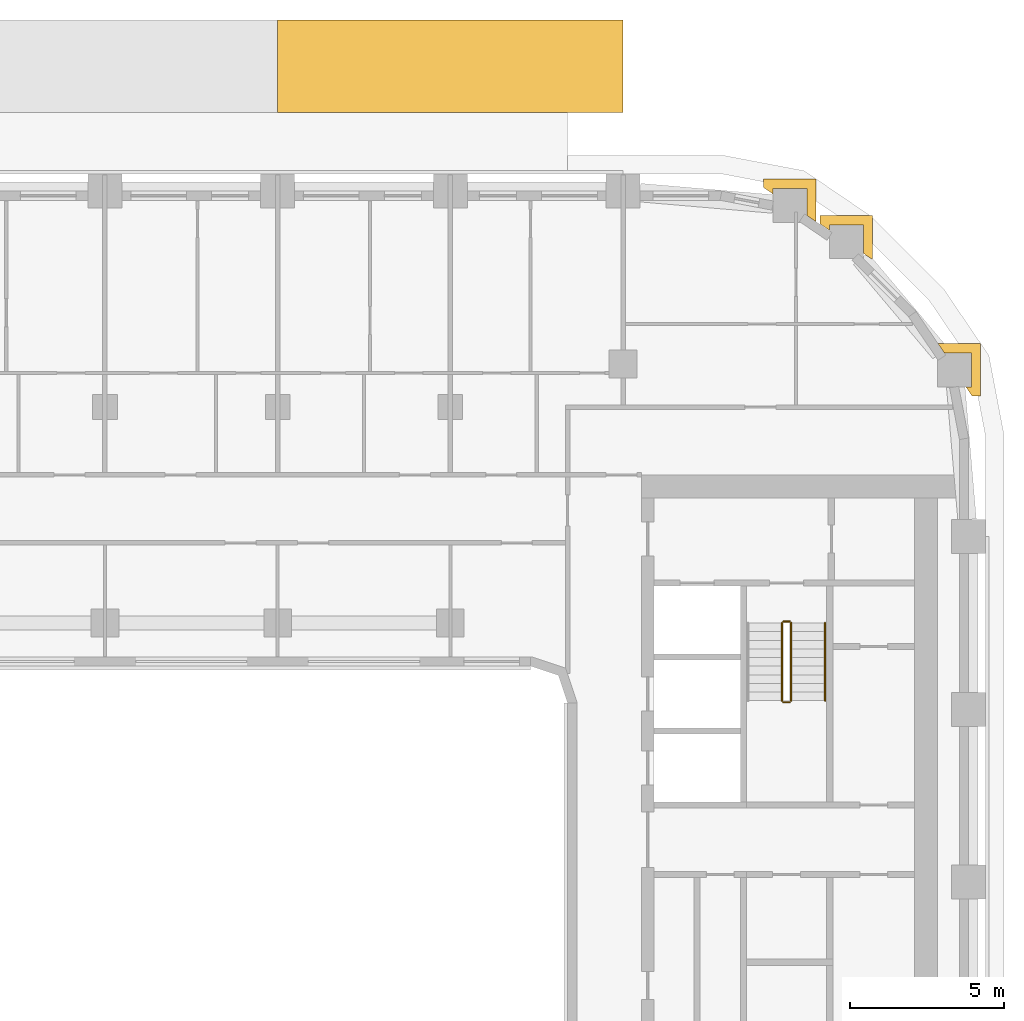
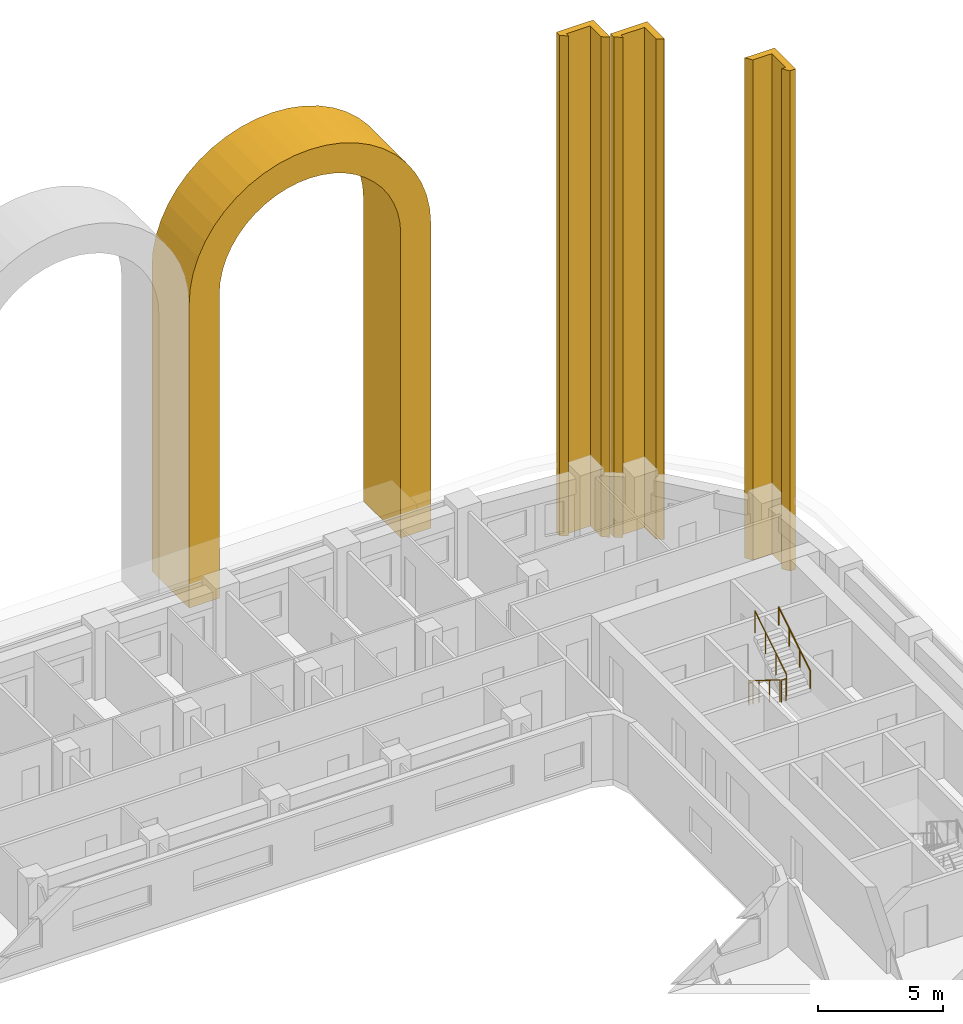
# One storey, part 18 of 18: 5 railings, 4 coverings.
"""IFC4 building model written with IfcOpenShell, lengths in metres."""

from ifc_helpers import new_model, si_unit, direction, frame, origin, origin_2d, place, context, subcontext, project, spatial, polyline, circle, outline, extrude, material, layer, layer_set, type_object, element, save


model = new_model("IFC4")

# Units and contexts
model_context = context("Model", 3, precision=1e-05, world=origin(), true_north=direction((0.0, 1.0)))
body_context = subcontext(model_context, "Body", "Model", "MODEL_VIEW")
ifc_project = project(units=[si_unit("LENGTHUNIT", "METRE"), si_unit("AREAUNIT", "SQUARE_METRE"), si_unit("VOLUMEUNIT", "CUBIC_METRE"), si_unit("PLANEANGLEUNIT", "RADIAN"), si_unit("MASSUNIT", "GRAM", prefix="KILO")], contexts=[model_context])

# Site, building, storey
site_placement = place(None, origin())
site = spatial("IfcSite", under=ifc_project, at=site_placement, CompositionType="ELEMENT")
building_placement = place(site_placement, origin())
building = spatial("IfcBuilding", under=site, at=building_placement, Name="Kiln Ring Residences", CompositionType="ELEMENT")
storey_placement = place(building_placement, frame((0.0, 0.0, 136.10009765625)))
storey = spatial("IfcBuildingStorey", under=building, at=storey_placement, Name="L34", CompositionType="ELEMENT", Elevation=136.10009765625)

# Covering
ifc_material_1 = material(Name="Brick masonry, dark clay brick", Category="masonry")
ifc_layer_1 = layer(ifc_material_1, 1.39990234375)
ifc_layer_set_1 = layer_set([ifc_layer_1], Name="ARCH SURROUND 3000")
covering_type_1 = type_object("IfcCoveringType", Name="ARCH SURROUND 3000", PredefinedType="CLADDING", material=ifc_layer_set_1)
covering_1_placement = place(storey_placement, frame((5.60009765625, 26.449951171875, 0.5), z_axis=(0.0, 0.0, 1.0), x_axis=(1.0, 0.0, 0.0)))
element("IfcCovering", 1, at=covering_1_placement, inside=storey, type_object=covering_type_1, Name="ARCH SURROUND Z3 N1.3", PredefinedType="CLADDING", context=body_context, shape_type="SweptSolid", body=[
    extrude(outline(polyline([(0.0, 0.0), (0.0, 14.89990234375), (0.0478515625, 15.630859375), (0.19091796875, 16.349365234375), (0.42626953125, 17.04296875), (0.750244140625, 17.699951171875), (1.1572265625, 18.30908203125), (1.64013671875, 18.859619140625), (2.19091796875, 19.3427734375), (2.800048828125, 19.74951171875), (3.45703125, 20.073486328125), (4.150634765625, 20.30908203125), (4.869140625, 20.451904296875), (5.60009765625, 20.5), (6.330810546875, 20.451904296875), (7.04931640625, 20.30908203125), (7.742919921875, 20.073486328125), (8.39990234375, 19.74951171875), (9.009033203125, 19.3427734375), (9.559814453125, 18.859619140625), (10.042724609375, 18.30908203125), (10.44970703125, 17.699951171875), (10.773681640625, 17.04296875), (11.00927734375, 16.349365234375), (11.152099609375, 15.630859375), (11.199951171875, 14.89990234375), (11.199951171875, 0.0), (9.800048828125, 0.0), (9.800048828125, 14.89990234375), (9.76416015625, 15.447998046875), (9.656982421875, 15.98681640625), (9.480224609375, 16.50732421875), (9.2373046875, 17.0), (8.93212890625, 17.456787109375), (8.56982421875, 17.86962890625), (8.15673828125, 18.23193359375), (7.699951171875, 18.537109375), (7.207275390625, 18.7802734375), (6.68701171875, 18.956787109375), (6.148193359375, 19.06396484375), (5.60009765625, 19.099853515625), (5.0517578125, 19.06396484375), (4.512939453125, 18.956787109375), (3.99267578125, 18.7802734375), (3.5, 18.537109375), (3.043212890625, 18.23193359375), (2.630126953125, 17.86962890625), (2.267822265625, 17.456787109375), (1.962646484375, 17.0), (1.7197265625, 16.50732421875), (1.543212890625, 15.98681640625), (1.435791015625, 15.447998046875), (1.39990234375, 14.89990234375), (1.39990234375, 0.0), (0.0, 0.0)])), frame((0.0, 1.5, 0.0), z_axis=(0.0, -1.0, 0.0), x_axis=(1.0, 0.0, 0.0)), (0.0, 0.0, 1.0), 3.0),
])

# Railings
ifc_material_2 = material(Name="Stainless steel", Category="steel")
railing_type_1 = type_object("IfcRailingType", Name="CORE-STAIR-GUARD", PredefinedType="GUARDRAIL", material=ifc_material_2)
railing_1_placement = place(storey_placement, frame((21.949951171875, 8.39990234375, 0.1748046875)))
element("IfcRailing", 2, at=railing_1_placement, inside=storey, type_object=railing_type_1, Name="L34 E-STN stair guard 1", PredefinedType="GUARDRAIL", context=body_context, shape_type="SweptSolid", body=[
    extrude(circle(Radius=0.02392578125, at=origin_2d()), frame((0.0, 0.0, 1.076171875), z_axis=(0.0, -0.847970611238, 0.530043245855), x_axis=(1.0, 0.0, 0.0)), (0.0, 0.0, 1.0), 2.971923828125),
    extrude(circle(Radius=0.02099609375, at=origin_2d()), origin(), (0.0, 0.0, 1.0), 1.052001953125),
    extrude(circle(Radius=0.02099609375, at=origin_2d()), frame((0.0, -0.840087890625, 0.525146484375)), (0.0, 0.0, 1.0), 1.052001953125),
    extrude(circle(Radius=0.02099609375, at=origin_2d()), frame((0.0, -1.679931640625, 1.050048828125)), (0.0, 0.0, 1.0), 1.052001953125),
    extrude(circle(Radius=0.02099609375, at=origin_2d()), frame((0.0, -2.52001953125, 1.5751953125)), (0.0, 0.0, 1.0), 1.052001953125),
])
railing_2_placement = place(storey_placement, frame((22.0, 5.830078125, 1.75)))
element("IfcRailing", 3, at=railing_2_placement, inside=storey, type_object=railing_type_1, Name="L34 E-STN stair guard 2", PredefinedType="GUARDRAIL", context=body_context, shape_type="SweptSolid", body=[
    extrude(circle(Radius=0.02392578125, at=origin_2d()), frame((0.0, 0.0, 1.076171875), z_axis=(1.0, 0.0, 0.0), x_axis=(0.0, 1.0, 0.0)), (0.0, 0.0, 1.0), 0.199951171875),
    extrude(circle(Radius=0.02099609375, at=origin_2d()), origin(), (0.0, 0.0, 1.0), 1.052001953125),
    extrude(circle(Radius=0.02099609375, at=origin_2d()), frame((0.199951171875, 0.0, 0.0)), (0.0, 0.0, 1.0), 1.052001953125),
])
railing_3_placement = place(storey_placement, frame((22.25, 5.8798828125, 1.9248046875)))
element("IfcRailing", 4, at=railing_3_placement, inside=storey, type_object=railing_type_1, Name="L34 E-STN stair guard 3", PredefinedType="GUARDRAIL", context=body_context, shape_type="SweptSolid", body=[
    extrude(circle(Radius=0.02392578125, at=origin_2d()), frame((0.0, 0.0, 1.076171875), z_axis=(0.0, 0.847970611238, 0.530043245855), x_axis=(-1.0, 0.0, 0.0)), (0.0, 0.0, 1.0), 2.971923828125),
    extrude(circle(Radius=0.02099609375, at=origin_2d()), origin(), (0.0, 0.0, 1.0), 1.052001953125),
    extrude(circle(Radius=0.02099609375, at=origin_2d()), frame((0.0, 0.840087890625, 0.525146484375)), (0.0, 0.0, 1.0), 1.052001953125),
    extrude(circle(Radius=0.02099609375, at=origin_2d()), frame((0.0, 1.679931640625, 1.050048828125)), (0.0, 0.0, 1.0), 1.052001953125),
    extrude(circle(Radius=0.02099609375, at=origin_2d()), frame((0.0, 2.52001953125, 1.5751953125)), (0.0, 0.0, 1.0), 1.052001953125),
])
railing_4_placement = place(storey_placement, frame((22.0, 8.449951171875, 0.0)))
element("IfcRailing", 5, at=railing_4_placement, inside=storey, type_object=railing_type_1, Name="L34 E-STN stair guard 4", PredefinedType="GUARDRAIL", context=body_context, shape_type="SweptSolid", body=[
    extrude(circle(Radius=0.02392578125, at=origin_2d()), frame((0.0, 0.0, 1.076171875), z_axis=(1.0, 0.0, 0.0), x_axis=(0.0, 1.0, 0.0)), (0.0, 0.0, 1.0), 0.199951171875),
    extrude(circle(Radius=0.02099609375, at=origin_2d()), origin(), (0.0, 0.0, 1.0), 1.052001953125),
    extrude(circle(Radius=0.02099609375, at=origin_2d()), frame((0.199951171875, 0.0, 0.0)), (0.0, 0.0, 1.0), 1.052001953125),
])
ifc_material_3 = material(Name="Stainless steel", Category="steel")
railing_type_2 = type_object("IfcRailingType", Name="CORE-STAIR-HANDRAIL", PredefinedType="HANDRAIL", material=ifc_material_3)
railing_5_placement = place(storey_placement, frame((23.35009765625, 5.8798828125, 1.9248046875)))
element("IfcRailing", 6, at=railing_5_placement, inside=storey, type_object=railing_type_2, Name="L34 E-STN stair handrail 2", PredefinedType="HANDRAIL", context=body_context, shape_type="SweptSolid", body=[
    extrude(circle(Radius=0.02392578125, at=origin_2d()), frame((0.0, 0.0, 0.8759765625), z_axis=(0.0, 0.847970611238, 0.530043245855), x_axis=(-1.0, 0.0, 0.0)), (0.0, 0.0, 1.0), 2.971923828125),
    extrude(circle(Radius=0.02099609375, at=origin_2d()), origin(), (0.0, 0.0, 1.0), 0.851806640625),
    extrude(circle(Radius=0.02099609375, at=origin_2d()), frame((0.0, 0.840087890625, 0.525146484375)), (0.0, 0.0, 1.0), 0.851806640625),
    extrude(circle(Radius=0.02099609375, at=origin_2d()), frame((0.0, 1.679931640625, 1.050048828125)), (0.0, 0.0, 1.0), 0.851806640625),
    extrude(circle(Radius=0.02099609375, at=origin_2d()), frame((0.0, 2.52001953125, 1.5751953125)), (0.0, 0.0, 1.0), 0.851806640625),
])

# Coverings
ifc_material_4 = material(Name="Brick masonry, dark clay brick", Category="masonry")
ifc_layer_2 = layer(ifc_material_4, 0.300048828125)
ifc_layer_set_2 = layer_set([ifc_layer_2], Name="PIER CLADDING 300")
covering_type_2 = type_object("IfcCoveringType", Name="PIER CLADDING 300", PredefinedType="CLADDING", material=ifc_layer_set_2)
placement = place(storey_placement, origin())
element("IfcCovering", 7, at=placement, inside=storey, type_object=covering_type_2, Name="PIER CLADDING L34-L40", PredefinedType="CLADDING", context=body_context, shape_type="SweptSolid", body=[
    extrude(outline(polyline([(28.38818359375, 15.7587890625), (28.38818359375, 17.458740234375), (27.008544921875, 17.458740234375), (27.21240234375, 17.15869140625), (28.088134765625, 17.15869140625), (28.088134765625, 16.05859375), (27.911865234375, 16.05859375), (28.11572265625, 15.7587890625), (28.38818359375, 15.7587890625)])), origin(), (0.0, 0.0, 1.0), 24.5),
])
element("IfcCovering", 8, at=placement, inside=storey, type_object=covering_type_2, Name="PIER CLADDING L34-L40", PredefinedType="CLADDING", context=body_context, shape_type="SweptSolid", body=[
    extrude(outline(polyline([(24.89013671875, 21.60986328125), (23.190185546875, 21.60986328125), (23.190185546875, 21.33740234375), (23.490234375, 21.133544921875), (23.490234375, 21.309814453125), (24.590087890625, 21.309814453125), (24.590087890625, 20.385986328125), (24.861083984375, 20.201904296875), (24.89013671875, 20.230712890625), (24.89013671875, 21.60986328125)])), origin(), (0.0, 0.0, 1.0), 24.5),
])
element("IfcCovering", 9, at=placement, inside=storey, type_object=covering_type_2, Name="PIER CLADDING L34-L40", PredefinedType="CLADDING", context=body_context, shape_type="SweptSolid", body=[
    extrude(outline(polyline([(23.05859375, 22.7880859375), (21.358642578125, 22.7880859375), (21.358642578125, 22.515869140625), (21.65869140625, 22.31201171875), (21.65869140625, 22.488037109375), (22.7587890625, 22.488037109375), (22.7587890625, 21.6123046875), (23.05859375, 21.408447265625), (23.05859375, 22.7880859375)])), origin(), (0.0, 0.0, 1.0), 24.5),
])

save(model, "model.ifc")
